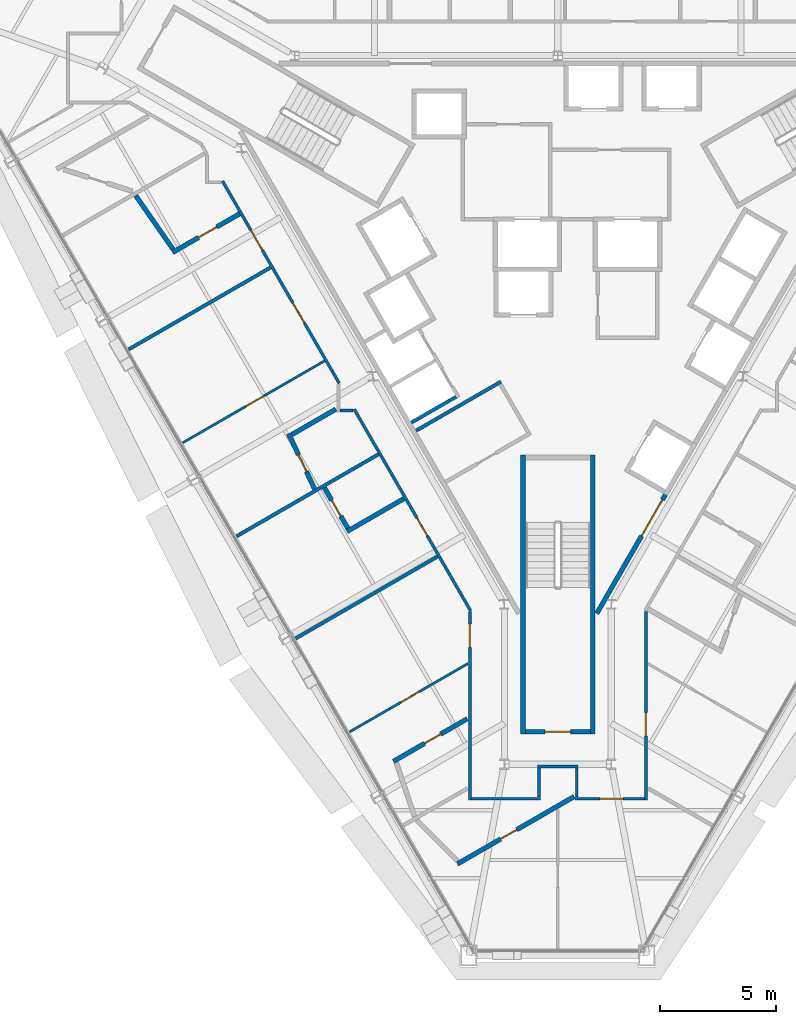
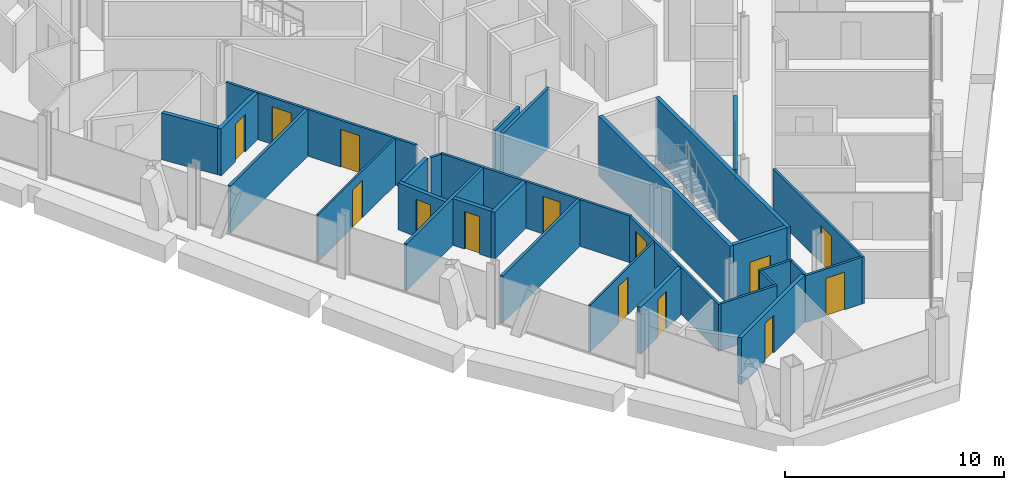
# One storey, part 10 of 17: 29 walls, 15 doors, 15 openings.
"""IFC4 building model written with IfcOpenShell, lengths in metres."""

from ifc_helpers import new_model, si_unit, direction, frame, frame_2d, origin, place, context, subcontext, project, spatial, rectangle, extrude, material, layer, layer_set, type_object, element, fill, save


model = new_model("IFC4")

# Units and contexts
model_context = context("Model", 3, precision=1e-05, world=origin(), true_north=direction((0.0, 1.0)))
body_context = subcontext(model_context, "Body", "Model", "MODEL_VIEW")
ifc_project = project(units=[si_unit("LENGTHUNIT", "METRE"), si_unit("AREAUNIT", "SQUARE_METRE"), si_unit("VOLUMEUNIT", "CUBIC_METRE"), si_unit("PLANEANGLEUNIT", "RADIAN"), si_unit("MASSUNIT", "GRAM", prefix="KILO")], contexts=[model_context])

# Site, building, storey
site_placement = place(None, origin())
site = spatial("IfcSite", under=ifc_project, at=site_placement, CompositionType="ELEMENT")
building_placement = place(site_placement, origin())
building = spatial("IfcBuilding", under=site, at=building_placement, Name="Verrane Prism Tower", CompositionType="ELEMENT")
storey_placement = place(building_placement, frame((0.0, 0.0, 96.39990234375)))
storey = spatial("IfcBuildingStorey", under=building, at=storey_placement, Name="L22", CompositionType="ELEMENT", Elevation=96.39990234375)

# Wall, opening, door
ifc_material_1 = material(Name="Gypsum board partition", Category="other")
ifc_layer_1 = layer(ifc_material_1, 0.199951171875)
ifc_layer_set_1 = layer_set([ifc_layer_1], Name="CW-200 core boundary wall 2 h")
wall_type_1 = type_object("IfcWallType", Name="CW-200 core boundary wall 2 h", PredefinedType="PARTITIONING", material=ifc_layer_set_1)
wall_1_placement = place(storey_placement, frame((1.677490234375, -14.814697265625, 0.0), z_axis=(0.0, 0.0, 1.0), x_axis=(0.49999445743, 0.866028603765, 0.0)))
wall_1 = element("IfcWall", 1, at=wall_1_placement, inside=storey, type_object=wall_type_1, Name="Core boundary wall CW3-003", PredefinedType="PARTITIONING", context=body_context, shape_type="SweptSolid", body=[
    extrude(rectangle(XDim=5.90478515625, YDim=0.199951171875, at=frame_2d((2.952392578125, 0.0))), origin(), (0.0, 0.0, 1.0), 3.35009765625),
])
opening_1_placement = place(wall_1_placement, frame((3.85498046875, 0.0, 0.0)))
opening_1 = element("IfcOpeningElement", 2, at=opening_1_placement, cuts=wall_1, Name="Opening D21517", PredefinedType="OPENING", context=body_context, shape_type="SweptSolid", body=[
    extrude(rectangle(XDim=1.800048828125, YDim=2.10009765625, at=frame_2d((0.89990234375, 1.050048828125))), frame((0.0, 0.10986328125, 0.0), z_axis=(0.0, -1.0, 0.0), x_axis=(1.0, 0.0, 0.0)), (0.0, 0.0, 1.0), 0.219970703125),
])
ifc_material_2 = material(Name="Timber veneered door leaf", Category="wood")
door_type_1 = type_object("IfcDoorType", Name="DR-1800x2100 FD60 double leaf lift lobby", OperationType="NOTDEFINED", PredefinedType="DOOR", material=ifc_material_2)
door_1_placement = place(opening_1_placement, origin())
door_1 = element("IfcDoor", 3, at=door_1_placement, inside=storey, type_object=door_type_1, Name="Lift lobby door D21517", OperationType="DOUBLE_DOOR_SINGLE_SWING", OverallHeight=2.10009765625, OverallWidth=1.800048828125, PredefinedType="DOOR", context=body_context, shape_type="SweptSolid", body=[
    extrude(rectangle(XDim=1.800048828125, YDim=2.10009765625, at=frame_2d((0.89990234375, 1.050048828125))), frame((0.0, 0.02490234375, 0.0), z_axis=(0.0, -1.0, 0.0), x_axis=(1.0, 0.0, 0.0)), (0.0, 0.0, 1.0), 0.050048828125),
])
fill(opening_1, door_1)

ifc_material_3 = material(Name="Concrete C40/50", Category="concrete")
ifc_layer_2 = layer(ifc_material_3, 0.199951171875)
ifc_layer_set_2 = layer_set([ifc_layer_2], Name="CW-200 stair core wall concrete C40/50 3 h")
wall_type_2 = type_object("IfcWallType", Name="CW-200 stair core wall concrete C40/50 3 h", PredefinedType="PARTITIONING", material=ifc_layer_set_2)
wall_2_placement = place(storey_placement, frame((-1.39990234375, -19.89990234375, 0.0), z_axis=(0.0, 0.0, 1.0), x_axis=(1.0, 0.0, 0.0)))
wall_2 = element("IfcWall", 4, at=wall_2_placement, inside=storey, type_object=wall_type_2, Name="Stair 3 enclosure wall", PredefinedType="PARTITIONING", context=body_context, shape_type="SweptSolid", body=[
    extrude(rectangle(XDim=2.7998046875, YDim=0.199951171875, at=frame_2d((1.39990234375, 0.0))), origin(), (0.0, 0.0, 1.0), 3.35009765625),
])
opening_2_placement = place(wall_2_placement, frame((0.85009765625, 0.0, 0.0)))
opening_2 = element("IfcOpeningElement", 5, at=opening_2_placement, cuts=wall_2, Name="Opening D21502", PredefinedType="OPENING", context=body_context, shape_type="SweptSolid", body=[
    extrude(rectangle(XDim=1.10009765625, YDim=2.10009765625, at=frame_2d((0.550048828125, 1.050048828125))), frame((0.0, 0.10986328125, 0.0), z_axis=(0.0, -1.0, 0.0), x_axis=(1.0, 0.0, 0.0)), (0.0, 0.0, 1.0), 0.219970703125),
])
ifc_material_4 = material(Name="Timber veneered door leaf", Category="wood")
door_type_2 = type_object("IfcDoorType", Name="DR-1100x2100 FD90 single leaf stair", OperationType="NOTDEFINED", PredefinedType="DOOR", material=ifc_material_4)
door_2_placement = place(opening_2_placement, origin())
door_2 = element("IfcDoor", 6, at=door_2_placement, inside=storey, type_object=door_type_2, Name="Stair 3 door", OperationType="SINGLE_SWING_LEFT", OverallHeight=2.10009765625, OverallWidth=1.10009765625, PredefinedType="DOOR", context=body_context, shape_type="SweptSolid", body=[
    extrude(rectangle(XDim=1.10009765625, YDim=2.10009765625, at=frame_2d((0.550048828125, 1.050048828125))), frame((0.0, 0.02490234375, 0.0), z_axis=(0.0, -1.0, 0.0), x_axis=(1.0, 0.0, 0.0)), (0.0, 0.0, 1.0), 0.050048828125),
])
fill(opening_2, door_2)

# Walls
for number, where, z_axis, x_axis, name in (
    (7, (1.5, -8.0, 0.0), (0.0, 0.0, 1.0), (0.0, -1.0, 0.0), "Stair 3 enclosure wall"),
    (8, (-1.5, -8.0, 0.0), (0.0, 0.0, 1.0), (0.0, -1.0, 0.0), "Stair 3 enclosure wall"),
):
    element("IfcWall", number, at=place(storey_placement, frame(where, z_axis=z_axis, x_axis=x_axis)), inside=storey, type_object=wall_type_2, Name=name, PredefinedType="PARTITIONING", context=body_context, shape_type="SweptSolid", body=[
        extrude(rectangle(XDim=12.0, YDim=0.199951171875, at=frame_2d((6.0, 0.0))), origin(), (0.0, 0.0, 1.0), 3.35009765625),
    ])

# Wall, opening, door
ifc_material_5 = material(Name="Gypsum board partition", Category="other")
ifc_layer_3 = layer(ifc_material_5, 0.10009765625)
ifc_layer_set_3 = layer_set([ifc_layer_3], Name="PW-100 room partition")
wall_type_3 = type_object("IfcWallType", Name="PW-100 room partition", PredefinedType="PARTITIONING", material=ifc_layer_set_3)
wall_3_placement = place(storey_placement, frame((-10.037109375, -3.940185546875, 0.0), z_axis=(0.0, 0.0, 1.0), x_axis=(-0.866063951978, -0.499933226626, 0.0)))
wall_3 = element("IfcWall", 9, at=wall_3_placement, inside=storey, type_object=wall_type_3, Name="Room partition 018", PredefinedType="PARTITIONING", context=body_context, shape_type="SweptSolid", body=[
    extrude(rectangle(XDim=7.05224609375, YDim=0.10009765625, at=frame_2d((3.526123046875, 0.0))), origin(), (0.0, 0.0, 1.0), 2.613037109375),
])
opening_3_placement = place(wall_3_placement, frame((2.998291015625, 0.0, 0.0)))
opening_3 = element("IfcOpeningElement", 10, at=opening_3_placement, cuts=wall_3, Name="Opening D21031", PredefinedType="OPENING", context=body_context, shape_type="SweptSolid", body=[
    extrude(rectangle(XDim=0.89990234375, YDim=2.10009765625, at=frame_2d((0.449951171875, 1.050048828125))), frame((0.0, 0.06005859375, 0.0), z_axis=(0.0, -1.0, 0.0), x_axis=(1.0, 0.0, 0.0)), (0.0, 0.0, 1.0), 0.1201171875),
])
ifc_material_6 = material(Name="Timber veneered door leaf", Category="wood")
door_type_3 = type_object("IfcDoorType", Name="DR-900x2100 single leaf inner", OperationType="NOTDEFINED", PredefinedType="DOOR", material=ifc_material_6)
door_3_placement = place(opening_3_placement, origin())
door_3 = element("IfcDoor", 11, at=door_3_placement, inside=storey, type_object=door_type_3, Name="Suite Living Room door", OperationType="SINGLE_SWING_RIGHT", OverallHeight=2.10009765625, OverallWidth=0.89990234375, PredefinedType="DOOR", context=body_context, shape_type="SweptSolid", body=[
    extrude(rectangle(XDim=0.89990234375, YDim=2.10009765625, at=frame_2d((0.449951171875, 1.050048828125))), frame((0.0, 0.02490234375, 0.0), z_axis=(0.0, -1.0, 0.0), x_axis=(1.0, 0.0, 0.0)), (0.0, 0.0, 1.0), 0.050048828125),
])
fill(opening_3, door_3)

wall_4_placement = place(storey_placement, frame((-3.87451171875, -16.972412109375, 0.0), z_axis=(0.0, 0.0, 1.0), x_axis=(-0.86602429061, -0.500001928069, 0.0)))
wall_4 = element("IfcWall", 12, at=wall_4_placement, inside=storey, type_object=wall_type_3, Name="Room partition 036", PredefinedType="PARTITIONING", context=body_context, shape_type="SweptSolid", body=[
    extrude(rectangle(XDim=5.873046875, YDim=0.10009765625, at=frame_2d((2.9365234375, 0.0))), origin(), (0.0, 0.0, 1.0), 2.613037109375),
])
opening_4_placement = place(wall_4_placement, frame((2.419189453125, 0.0, 0.0)))
opening_4 = element("IfcOpeningElement", 13, at=opening_4_placement, cuts=wall_4, Name="Opening D21036", PredefinedType="OPENING", context=body_context, shape_type="SweptSolid", body=[
    extrude(rectangle(XDim=0.89990234375, YDim=2.10009765625, at=frame_2d((0.449951171875, 1.050048828125))), frame((0.0, 0.06005859375, 0.0), z_axis=(0.0, -1.0, 0.0), x_axis=(1.0, 0.0, 0.0)), (0.0, 0.0, 1.0), 0.1201171875),
])
door_4_placement = place(opening_4_placement, origin())
door_4 = element("IfcDoor", 14, at=door_4_placement, inside=storey, type_object=door_type_3, Name="Suite Living Room door", OperationType="SINGLE_SWING_LEFT", OverallHeight=2.10009765625, OverallWidth=0.89990234375, PredefinedType="DOOR", context=body_context, shape_type="SweptSolid", body=[
    extrude(rectangle(XDim=0.89990234375, YDim=2.10009765625, at=frame_2d((0.449951171875, 1.050048828125))), frame((0.0, 0.02490234375, 0.0), z_axis=(0.0, -1.0, 0.0), x_axis=(1.0, 0.0, 0.0)), (0.0, 0.0, 1.0), 0.050048828125),
])
fill(opening_4, door_4)

# Wall, openings, doors
ifc_material_7 = material(Name="Gypsum board partition", Category="other")
ifc_layer_4 = layer(ifc_material_7, 0.125)
ifc_layer_set_4 = layer_set([ifc_layer_4], Name="PW-125 corridor wall 1 h")
wall_type_4 = type_object("IfcWallType", Name="PW-125 corridor wall 1 h", PredefinedType="PARTITIONING", material=ifc_layer_set_4)
wall_5_placement = place(storey_placement, frame((-9.40966796875, -4.902099609375, 0.0), z_axis=(0.0, 0.0, 1.0), x_axis=(-0.499971244726, 0.866042005013, 0.0)))
wall_5 = element("IfcWall", 15, at=wall_5_placement, inside=storey, type_object=wall_type_4, Name="Corridor wall 025", PredefinedType="PARTITIONING", context=body_context, shape_type="SweptSolid", body=[
    extrude(rectangle(XDim=10.0517578125, YDim=0.125, at=frame_2d((5.02587890625, 0.0))), origin(), (0.0, 0.0, 1.0), 2.613037109375),
])
opening_5_placement = place(wall_5_placement, frame((6.608154296875, 0.0, 0.0)))
opening_5 = element("IfcOpeningElement", 16, at=opening_5_placement, cuts=wall_5, Name="Opening D21028", PredefinedType="OPENING", context=body_context, shape_type="SweptSolid", body=[
    extrude(rectangle(XDim=1.0, YDim=2.10009765625, at=frame_2d((0.5, 1.050048828125))), frame((0.0, 0.072509765625, 0.0), z_axis=(0.0, -1.0, 0.0), x_axis=(1.0, 0.0, 0.0)), (0.0, 0.0, 1.0), 0.14501953125),
])
opening_6_placement = place(wall_5_placement, frame((2.9892578125, 0.0, 0.0)))
opening_6 = element("IfcOpeningElement", 17, at=opening_6_placement, cuts=wall_5, Name="Opening D21030", PredefinedType="OPENING", context=body_context, shape_type="SweptSolid", body=[
    extrude(rectangle(XDim=1.0, YDim=2.10009765625, at=frame_2d((0.5, 1.050048828125))), frame((0.0, 0.072509765625, 0.0), z_axis=(0.0, -1.0, 0.0), x_axis=(1.0, 0.0, 0.0)), (0.0, 0.0, 1.0), 0.14501953125),
])
ifc_material_8 = material(Name="Timber veneered door leaf", Category="wood")
door_type_4 = type_object("IfcDoorType", Name="DR-1000x2100 FD20 single leaf unit", OperationType="NOTDEFINED", PredefinedType="DOOR", material=ifc_material_8)
door_5_placement = place(opening_5_placement, origin())
door_5 = element("IfcDoor", 18, at=door_5_placement, inside=storey, type_object=door_type_4, Name="Accessible Guest Room door", OperationType="SINGLE_SWING_LEFT", OverallHeight=2.10009765625, OverallWidth=1.0, PredefinedType="DOOR", context=body_context, shape_type="SweptSolid", body=[
    extrude(rectangle(XDim=1.0, YDim=2.10009765625, at=frame_2d((0.5, 1.050048828125))), frame((0.0, 0.02490234375, 0.0), z_axis=(0.0, -1.0, 0.0), x_axis=(1.0, 0.0, 0.0)), (0.0, 0.0, 1.0), 0.050048828125),
])
fill(opening_5, door_5)
door_6_placement = place(opening_6_placement, origin())
door_6 = element("IfcDoor", 19, at=door_6_placement, inside=storey, type_object=door_type_4, Name="Suite Living Room door", OperationType="SINGLE_SWING_LEFT", OverallHeight=2.10009765625, OverallWidth=1.0, PredefinedType="DOOR", context=body_context, shape_type="SweptSolid", body=[
    extrude(rectangle(XDim=1.0, YDim=2.10009765625, at=frame_2d((0.5, 1.050048828125))), frame((0.0, 0.02490234375, 0.0), z_axis=(0.0, -1.0, 0.0), x_axis=(1.0, 0.0, 0.0)), (0.0, 0.0, 1.0), 0.050048828125),
])
fill(opening_6, door_6)

# Wall
wall_6_placement = place(storey_placement, frame((-9.3759765625, -6.071044921875, 0.0), z_axis=(0.0, 0.0, 1.0), x_axis=(1.0, 0.0, 0.0)))
element("IfcWall", 20, at=wall_6_placement, inside=storey, type_object=wall_type_4, Name="Corridor wall 034", PredefinedType="PARTITIONING", context=body_context, shape_type="SweptSolid", body=[
    extrude(rectangle(XDim=0.555908203125, YDim=0.125, at=frame_2d((0.27783203125, 0.0))), origin(), (0.0, 0.0, 1.0), 2.613037109375),
])

# Wall, opening, door
wall_7_placement = place(storey_placement, frame((-3.755859375, -14.694091796875, 0.0), z_axis=(0.0, 0.0, 1.0), x_axis=(-0.500051472265, 0.865995684219, 0.0)))
wall_7 = element("IfcWall", 21, at=wall_7_placement, inside=storey, type_object=wall_type_4, Name="Corridor wall 037", PredefinedType="PARTITIONING", context=body_context, shape_type="SweptSolid", body=[
    extrude(rectangle(XDim=10.02001953125, YDim=0.125, at=frame_2d((5.010009765625, 0.0))), origin(), (0.0, 0.0, 1.0), 2.613037109375),
])
opening_7_placement = place(wall_7_placement, frame((3.71142578125, 0.0, 0.0)))
opening_7 = element("IfcOpeningElement", 22, at=opening_7_placement, cuts=wall_7, Name="Opening D21033", PredefinedType="OPENING", context=body_context, shape_type="SweptSolid", body=[
    extrude(rectangle(XDim=0.89990234375, YDim=2.10009765625, at=frame_2d((0.449951171875, 1.050048828125))), frame((0.0, 0.072509765625, 0.0), z_axis=(0.0, -1.0, 0.0), x_axis=(1.0, 0.0, 0.0)), (0.0, 0.0, 1.0), 0.14501953125),
])
ifc_material_9 = material(Name="Timber veneered door leaf", Category="wood")
door_type_5 = type_object("IfcDoorType", Name="DR-900x2100 FD20 single leaf unit", OperationType="NOTDEFINED", PredefinedType="DOOR", material=ifc_material_9)
door_7_placement = place(opening_7_placement, origin())
door_7 = element("IfcDoor", 23, at=door_7_placement, inside=storey, type_object=door_type_5, Name="Guest Room door", OperationType="SINGLE_SWING_RIGHT", OverallHeight=2.10009765625, OverallWidth=0.89990234375, PredefinedType="DOOR", context=body_context, shape_type="SweptSolid", body=[
    extrude(rectangle(XDim=0.89990234375, YDim=2.10009765625, at=frame_2d((0.449951171875, 1.050048828125))), frame((0.0, 0.02490234375, 0.0), z_axis=(0.0, -1.0, 0.0), x_axis=(1.0, 0.0, 0.0)), (0.0, 0.0, 1.0), 0.050048828125),
])
fill(opening_7, door_7)

wall_8_placement = place(storey_placement, frame((-3.787109375, -22.849609375, 0.0), z_axis=(0.0, 0.0, 1.0), x_axis=(0.0, 1.0, 0.0)))
wall_8 = element("IfcWall", 24, at=wall_8_placement, inside=storey, type_object=wall_type_4, Name="Corridor wall 047", PredefinedType="PARTITIONING", context=body_context, shape_type="SweptSolid", body=[
    extrude(rectangle(XDim=8.12451171875, YDim=0.125, at=frame_2d((4.062255859375, 0.0))), origin(), (0.0, 0.0, 1.0), 2.613037109375),
])
opening_8_placement = place(wall_8_placement, frame((6.577392578125, 0.0, 0.0)))
opening_8 = element("IfcOpeningElement", 25, at=opening_8_placement, cuts=wall_8, Name="Opening D21035", PredefinedType="OPENING", context=body_context, shape_type="SweptSolid", body=[
    extrude(rectangle(XDim=1.0, YDim=2.10009765625, at=frame_2d((0.5, 1.050048828125))), frame((0.0, 0.072509765625, 0.0), z_axis=(0.0, -1.0, 0.0), x_axis=(1.0, 0.0, 0.0)), (0.0, 0.0, 1.0), 0.14501953125),
])
door_8_placement = place(opening_8_placement, origin())
door_8 = element("IfcDoor", 26, at=door_8_placement, inside=storey, type_object=door_type_4, Name="Suite Living Room door", OperationType="SINGLE_SWING_LEFT", OverallHeight=2.10009765625, OverallWidth=1.0, PredefinedType="DOOR", context=body_context, shape_type="SweptSolid", body=[
    extrude(rectangle(XDim=1.0, YDim=2.10009765625, at=frame_2d((0.5, 1.050048828125))), frame((0.0, 0.02490234375, 0.0), z_axis=(0.0, -1.0, 0.0), x_axis=(1.0, 0.0, 0.0)), (0.0, 0.0, 1.0), 0.050048828125),
])
fill(opening_8, door_8)

# Walls
wall_9_placement = place(storey_placement, frame((-3.721923828125, -22.787109375, 0.0), z_axis=(0.0, 0.0, 1.0), x_axis=(1.0, 0.0, 0.0)))
element("IfcWall", 27, at=wall_9_placement, inside=storey, type_object=wall_type_4, Name="Corridor wall 048", PredefinedType="PARTITIONING", context=body_context, shape_type="SweptSolid", body=[
    extrude(rectangle(XDim=2.971435546875, YDim=0.125, at=frame_2d((1.48583984375, 0.0))), origin(), (0.0, 0.0, 1.0), 2.613037109375),
])
wall_10_placement = place(storey_placement, frame((-0.81298828125, -22.721923828125, 0.0), z_axis=(0.0, 0.0, 1.0), x_axis=(0.0, 1.0, 0.0)))
element("IfcWall", 28, at=wall_10_placement, inside=storey, type_object=wall_type_4, Name="Corridor wall 050", PredefinedType="PARTITIONING", context=body_context, shape_type="SweptSolid", body=[
    extrude(rectangle(XDim=1.2568359375, YDim=0.125, at=frame_2d((0.62841796875, 0.0))), origin(), (0.0, 0.0, 1.0), 2.613037109375),
])
wall_11_placement = place(storey_placement, frame((-0.87548828125, -21.39990234375, 0.0), z_axis=(0.0, 0.0, 1.0), x_axis=(1.0, 0.0, 0.0)))
element("IfcWall", 29, at=wall_11_placement, inside=storey, type_object=wall_type_4, Name="Corridor wall 051", PredefinedType="PARTITIONING", context=body_context, shape_type="SweptSolid", body=[
    extrude(rectangle(XDim=1.7509765625, YDim=0.125, at=frame_2d((0.87548828125, 0.0))), origin(), (0.0, 0.0, 1.0), 2.613037109375),
])
wall_12_placement = place(storey_placement, frame((0.81298828125, -22.721923828125, 0.0), z_axis=(0.0, 0.0, 1.0), x_axis=(0.0, 1.0, 0.0)))
element("IfcWall", 30, at=wall_12_placement, inside=storey, type_object=wall_type_4, Name="Corridor wall 054", PredefinedType="PARTITIONING", context=body_context, shape_type="SweptSolid", body=[
    extrude(rectangle(XDim=1.2568359375, YDim=0.125, at=frame_2d((0.62841796875, 0.0))), origin(), (0.0, 0.0, 1.0), 2.613037109375),
])

# Wall, opening, door
wall_13_placement = place(storey_placement, frame((3.721923828125, -22.787109375, 0.0), z_axis=(0.0, 0.0, 1.0), x_axis=(-1.0, 0.0, 0.0)))
wall_13 = element("IfcWall", 31, at=wall_13_placement, inside=storey, type_object=wall_type_4, Name="Corridor wall 055", PredefinedType="PARTITIONING", context=body_context, shape_type="SweptSolid", body=[
    extrude(rectangle(XDim=2.971435546875, YDim=0.125, at=frame_2d((1.48583984375, 0.0))), origin(), (0.0, 0.0, 1.0), 2.613037109375),
])
opening_9_placement = place(wall_13_placement, frame((0.908935546875, 0.0, 0.0)))
opening_9 = element("IfcOpeningElement", 32, at=opening_9_placement, cuts=wall_13, Name="Opening D21038", PredefinedType="OPENING", context=body_context, shape_type="SweptSolid", body=[
    extrude(rectangle(XDim=1.0, YDim=2.10009765625, at=frame_2d((0.5, 1.050048828125))), frame((0.0, 0.072509765625, 0.0), z_axis=(0.0, -1.0, 0.0), x_axis=(1.0, 0.0, 0.0)), (0.0, 0.0, 1.0), 0.14501953125),
])
door_9_placement = place(opening_9_placement, origin())
door_9 = element("IfcDoor", 33, at=door_9_placement, inside=storey, type_object=door_type_4, Name="Suite Living Room door", OperationType="SINGLE_SWING_LEFT", OverallHeight=2.10009765625, OverallWidth=1.0, PredefinedType="DOOR", context=body_context, shape_type="SweptSolid", body=[
    extrude(rectangle(XDim=1.0, YDim=2.10009765625, at=frame_2d((0.5, 1.050048828125))), frame((0.0, 0.02490234375, 0.0), z_axis=(0.0, -1.0, 0.0), x_axis=(1.0, 0.0, 0.0)), (0.0, 0.0, 1.0), 0.050048828125),
])
fill(opening_9, door_9)

wall_14_placement = place(storey_placement, frame((3.787109375, -14.72509765625, 0.0), z_axis=(0.0, 0.0, 1.0), x_axis=(0.0, -1.0, 0.0)))
wall_14 = element("IfcWall", 34, at=wall_14_placement, inside=storey, type_object=wall_type_4, Name="Corridor wall 056", PredefinedType="PARTITIONING", context=body_context, shape_type="SweptSolid", body=[
    extrude(rectangle(XDim=8.12451171875, YDim=0.125, at=frame_2d((4.062255859375, 0.0))), origin(), (0.0, 0.0, 1.0), 2.613037109375),
])
opening_10_placement = place(wall_14_placement, frame((4.35693359375, 0.0, 0.0)))
opening_10 = element("IfcOpeningElement", 35, at=opening_10_placement, cuts=wall_14, Name="Opening D21001", PredefinedType="OPENING", context=body_context, shape_type="SweptSolid", body=[
    extrude(rectangle(XDim=1.0, YDim=2.10009765625, at=frame_2d((0.5, 1.050048828125))), frame((0.0, 0.072509765625, 0.0), z_axis=(0.0, -1.0, 0.0), x_axis=(1.0, 0.0, 0.0)), (0.0, 0.0, 1.0), 0.14501953125),
])
door_10_placement = place(opening_10_placement, origin())
door_10 = element("IfcDoor", 36, at=door_10_placement, inside=storey, type_object=door_type_4, Name="Suite Living Room door", OperationType="SINGLE_SWING_RIGHT", OverallHeight=2.10009765625, OverallWidth=1.0, PredefinedType="DOOR", context=body_context, shape_type="SweptSolid", body=[
    extrude(rectangle(XDim=1.0, YDim=2.10009765625, at=frame_2d((0.5, 1.050048828125))), frame((0.0, 0.02490234375, 0.0), z_axis=(0.0, -1.0, 0.0), x_axis=(1.0, 0.0, 0.0)), (0.0, 0.0, 1.0), 0.050048828125),
])
fill(opening_10, door_10)

# Walls
ifc_material_10 = material(Name="Gypsum board partition", Category="other")
ifc_layer_5 = layer(ifc_material_10, 0.14990234375)
ifc_layer_set_5 = layer_set([ifc_layer_5], Name="PW-150 demising wall 1 h")
wall_type_5 = type_object("IfcWallType", Name="PW-150 demising wall 1 h", PredefinedType="PARTITIONING", material=ifc_layer_set_5)
wall_15_placement = place(storey_placement, frame((-18.466064453125, -3.445068359375, 0.0), z_axis=(0.0, 0.0, 1.0), x_axis=(0.86605175433, 0.499954356739, 0.0)))
element("IfcWall", 37, at=wall_15_placement, inside=storey, type_object=wall_type_5, Name="Demising wall 014", PredefinedType="PARTITIONING", context=body_context, shape_type="SweptSolid", body=[
    extrude(rectangle(XDim=7.047607421875, YDim=0.14990234375, at=frame_2d((3.52392578125, 0.0))), origin(), (0.0, 0.0, 1.0), 2.613037109375),
])
wall_16_placement = place(storey_placement, frame((-13.8232421875, -11.48681640625, 0.0), z_axis=(0.0, 0.0, 1.0), x_axis=(0.865980767462, 0.500077304409, 0.0)))
element("IfcWall", 38, at=wall_16_placement, inside=storey, type_object=wall_type_5, Name="Demising wall 026", PredefinedType="PARTITIONING", context=body_context, shape_type="SweptSolid", body=[
    extrude(rectangle(XDim=7.04736328125, YDim=0.14990234375, at=frame_2d((3.523681640625, 0.0))), origin(), (0.0, 0.0, 1.0), 2.613037109375),
])
wall_17_placement = place(storey_placement, frame((-11.2822265625, -15.88818359375, 0.0), z_axis=(0.0, 0.0, 1.0), x_axis=(0.866031654768, 0.499989172823, 0.0)))
element("IfcWall", 39, at=wall_17_placement, inside=storey, type_object=wall_type_5, Name="Demising wall 030", PredefinedType="PARTITIONING", context=body_context, shape_type="SweptSolid", body=[
    extrude(rectangle(XDim=7.052001953125, YDim=0.14990234375, at=frame_2d((3.52587890625, 0.0))), origin(), (0.0, 0.0, 1.0), 2.613037109375),
])
ifc_material_11 = material(Name="Gypsum board partition", Category="other")
ifc_layer_6 = layer(ifc_material_11, 0.199951171875)
ifc_layer_set_6 = layer_set([ifc_layer_6], Name="PW-200 plumbing wall")
wall_type_6 = type_object("IfcWallType", Name="PW-200 plumbing wall", PredefinedType="PARTITIONING", material=ifc_layer_set_6)
wall_18_placement = place(storey_placement, frame((-18.170166015625, 3.17529296875, 0.0), z_axis=(0.0, 0.0, 1.0), x_axis=(0.571541682724, -0.820573034476, 0.0)))
element("IfcWall", 40, at=wall_18_placement, inside=storey, type_object=wall_type_6, Name="Plumbing wall 015", PredefinedType="PARTITIONING", context=body_context, shape_type="SweptSolid", body=[
    extrude(rectangle(XDim=2.817626953125, YDim=0.199951171875, at=frame_2d((1.40869140625, 0.0))), origin(), (0.0, 0.0, 1.0), 2.613037109375),
])

# Wall, opening, door
wall_19_placement = place(storey_placement, frame((-16.58349609375, 0.722900390625, 0.0), z_axis=(0.0, 0.0, 1.0), x_axis=(0.866001642064, 0.500041154249, 0.0)))
wall_19 = element("IfcWall", 41, at=wall_19_placement, inside=storey, type_object=wall_type_6, Name="Plumbing wall 017", PredefinedType="PARTITIONING", context=body_context, shape_type="SweptSolid", body=[
    extrude(rectangle(XDim=3.337646484375, YDim=0.199951171875, at=frame_2d((1.6689453125, 0.0))), origin(), (0.0, 0.0, 1.0), 2.613037109375),
])
opening_11_placement = place(wall_19_placement, frame((1.300048828125, 0.0, 0.0)))
opening_11 = element("IfcOpeningElement", 42, at=opening_11_placement, cuts=wall_19, Name="Opening D21029", PredefinedType="OPENING", context=body_context, shape_type="SweptSolid", body=[
    extrude(rectangle(XDim=0.89990234375, YDim=2.10009765625, at=frame_2d((0.449951171875, 1.050048828125))), frame((0.0, 0.10986328125, 0.0), z_axis=(0.0, -1.0, 0.0), x_axis=(1.0, 0.0, 0.0)), (0.0, 0.0, 1.0), 0.219970703125),
])
ifc_material_12 = material(Name="Timber veneered door leaf", Category="wood")
door_type_6 = type_object("IfcDoorType", Name="DR-900x2100 single leaf bath", OperationType="NOTDEFINED", PredefinedType="DOOR", material=ifc_material_12)
door_11_placement = place(opening_11_placement, origin())
door_11 = element("IfcDoor", 43, at=door_11_placement, inside=storey, type_object=door_type_6, Name="En-Suite door", OperationType="SINGLE_SWING_LEFT", OverallHeight=2.10009765625, OverallWidth=0.89990234375, PredefinedType="DOOR", context=body_context, shape_type="SweptSolid", body=[
    extrude(rectangle(XDim=0.89990234375, YDim=2.10009765625, at=frame_2d((0.449951171875, 1.050048828125))), frame((0.0, 0.02490234375, 0.0), z_axis=(0.0, -1.0, 0.0), x_axis=(1.0, 0.0, 0.0)), (0.0, 0.0, 1.0), 0.050048828125),
])
fill(opening_11, door_11)

wall_20_placement = place(storey_placement, frame((-11.58544921875, -7.077392578125, 0.0), z_axis=(0.0, 0.0, 1.0), x_axis=(0.425434257814, -0.904989332688, 0.0)))
wall_20 = element("IfcWall", 44, at=wall_20_placement, inside=storey, type_object=wall_type_6, Name="Plumbing wall 028", PredefinedType="PARTITIONING", context=body_context, shape_type="SweptSolid", body=[
    extrude(rectangle(XDim=2.62548828125, YDim=0.199951171875, at=frame_2d((1.312744140625, 0.0))), origin(), (0.0, 0.0, 1.0), 2.613037109375),
])
opening_12_placement = place(wall_20_placement, frame((1.0, 0.0, 0.0)))
opening_12 = element("IfcOpeningElement", 45, at=opening_12_placement, cuts=wall_20, Name="Opening D21032", PredefinedType="OPENING", context=body_context, shape_type="SweptSolid", body=[
    extrude(rectangle(XDim=0.800048828125, YDim=2.10009765625, at=frame_2d((0.39990234375, 1.050048828125))), frame((0.0, 0.10986328125, 0.0), z_axis=(0.0, -1.0, 0.0), x_axis=(1.0, 0.0, 0.0)), (0.0, 0.0, 1.0), 0.219970703125),
])
ifc_material_13 = material(Name="Timber veneered door leaf", Category="wood")
door_type_7 = type_object("IfcDoorType", Name="DR-800x2100 single leaf bath", OperationType="NOTDEFINED", PredefinedType="DOOR", material=ifc_material_13)
door_12_placement = place(opening_12_placement, origin())
door_12 = element("IfcDoor", 46, at=door_12_placement, inside=storey, type_object=door_type_7, Name="En-Suite door", OperationType="SINGLE_SWING_RIGHT", OverallHeight=2.10009765625, OverallWidth=0.800048828125, PredefinedType="DOOR", context=body_context, shape_type="SweptSolid", body=[
    extrude(rectangle(XDim=0.800048828125, YDim=2.10009765625, at=frame_2d((0.39990234375, 1.050048828125))), frame((0.0, 0.02490234375, 0.0), z_axis=(0.0, -1.0, 0.0), x_axis=(1.0, 0.0, 0.0)), (0.0, 0.0, 1.0), 0.050048828125),
])
fill(opening_12, door_12)

# Wall
wall_21_placement = place(storey_placement, frame((-11.44775390625, -7.113037109375, 0.0), z_axis=(0.0, 0.0, 1.0), x_axis=(0.865960673566, 0.500112099272, 0.0)))
element("IfcWall", 47, at=wall_21_placement, inside=storey, type_object=wall_type_6, Name="Plumbing wall 029", PredefinedType="PARTITIONING", context=body_context, shape_type="SweptSolid", body=[
    extrude(rectangle(XDim=2.1875, YDim=0.199951171875, at=frame_2d((1.09375, 0.0))), origin(), (0.0, 0.0, 1.0), 2.613037109375),
])

# Wall, opening, door
wall_22_placement = place(storey_placement, frame((-10.046875, -9.398193359375, 0.0), z_axis=(0.0, 0.0, 1.0), x_axis=(0.499935208997, -0.866062807656, 0.0)))
wall_22 = element("IfcWall", 48, at=wall_22_placement, inside=storey, type_object=wall_type_6, Name="Plumbing wall 031", PredefinedType="PARTITIONING", context=body_context, shape_type="SweptSolid", body=[
    extrude(rectangle(XDim=2.019775390625, YDim=0.199951171875, at=frame_2d((1.009765625, 0.0))), origin(), (0.0, 0.0, 1.0), 2.613037109375),
])
opening_13_placement = place(wall_22_placement, frame((0.6201171875, 0.0, 0.0)))
opening_13 = element("IfcOpeningElement", 49, at=opening_13_placement, cuts=wall_22, Name="Opening D21034", PredefinedType="OPENING", context=body_context, shape_type="SweptSolid", body=[
    extrude(rectangle(XDim=0.800048828125, YDim=2.10009765625, at=frame_2d((0.39990234375, 1.050048828125))), frame((0.0, 0.10986328125, 0.0), z_axis=(0.0, -1.0, 0.0), x_axis=(1.0, 0.0, 0.0)), (0.0, 0.0, 1.0), 0.219970703125),
])
door_13_placement = place(opening_13_placement, origin())
door_13 = element("IfcDoor", 50, at=door_13_placement, inside=storey, type_object=door_type_7, Name="En-Suite door", OperationType="SINGLE_SWING_RIGHT", OverallHeight=2.10009765625, OverallWidth=0.800048828125, PredefinedType="DOOR", context=body_context, shape_type="SweptSolid", body=[
    extrude(rectangle(XDim=0.800048828125, YDim=2.10009765625, at=frame_2d((0.39990234375, 1.050048828125))), frame((0.0, 0.02490234375, 0.0), z_axis=(0.0, -1.0, 0.0), x_axis=(1.0, 0.0, 0.0)), (0.0, 0.0, 1.0), 0.050048828125),
])
fill(opening_13, door_13)

# Wall
wall_23_placement = place(storey_placement, frame((-9.07373046875, -11.283935546875, 0.0), z_axis=(0.0, 0.0, 1.0), x_axis=(0.866197046655, 0.499702587912, 0.0)))
element("IfcWall", 51, at=wall_23_placement, inside=storey, type_object=wall_type_6, Name="Plumbing wall 035", PredefinedType="PARTITIONING", context=body_context, shape_type="SweptSolid", body=[
    extrude(rectangle(XDim=2.837158203125, YDim=0.199951171875, at=frame_2d((1.41845703125, 0.0))), origin(), (0.0, 0.0, 1.0), 2.613037109375),
])

# Wall, opening, door
wall_24_placement = place(storey_placement, frame((-3.8994140625, -19.344970703125, 0.0), z_axis=(0.0, 0.0, 1.0), x_axis=(-0.865971488458, -0.500093372459, 0.0)))
wall_24 = element("IfcWall", 52, at=wall_24_placement, inside=storey, type_object=wall_type_6, Name="Plumbing wall 041", PredefinedType="PARTITIONING", context=body_context, shape_type="SweptSolid", body=[
    extrude(rectangle(XDim=3.665283203125, YDim=0.199951171875, at=frame_2d((1.83251953125, 0.0))), origin(), (0.0, 0.0, 1.0), 2.613037109375),
])
opening_14_placement = place(wall_24_placement, frame((1.3154296875, 0.0, 0.0)))
opening_14 = element("IfcOpeningElement", 53, at=opening_14_placement, cuts=wall_24, Name="Opening D21037", PredefinedType="OPENING", context=body_context, shape_type="SweptSolid", body=[
    extrude(rectangle(XDim=0.800048828125, YDim=2.10009765625, at=frame_2d((0.39990234375, 1.050048828125))), frame((0.0, 0.10986328125, 0.0), z_axis=(0.0, -1.0, 0.0), x_axis=(1.0, 0.0, 0.0)), (0.0, 0.0, 1.0), 0.219970703125),
])
door_14_placement = place(opening_14_placement, origin())
door_14 = element("IfcDoor", 54, at=door_14_placement, inside=storey, type_object=door_type_7, Name="En-Suite door", OperationType="SINGLE_SWING_RIGHT", OverallHeight=2.10009765625, OverallWidth=0.800048828125, PredefinedType="DOOR", context=body_context, shape_type="SweptSolid", body=[
    extrude(rectangle(XDim=0.800048828125, YDim=2.10009765625, at=frame_2d((0.39990234375, 1.050048828125))), frame((0.0, 0.02490234375, 0.0), z_axis=(0.0, -1.0, 0.0), x_axis=(1.0, 0.0, 0.0)), (0.0, 0.0, 1.0), 0.050048828125),
])
fill(opening_14, door_14)

wall_25_placement = place(storey_placement, frame((-4.319580078125, -25.592041015625, 0.0), z_axis=(0.0, 0.0, 1.0), x_axis=(0.86603408909, 0.499984956307, 0.0)))
wall_25 = element("IfcWall", 55, at=wall_25_placement, inside=storey, type_object=wall_type_6, Name="Plumbing wall 046", PredefinedType="PARTITIONING", context=body_context, shape_type="SweptSolid", body=[
    extrude(rectangle(XDim=5.796630859375, YDim=0.199951171875, at=frame_2d((2.8984375, 0.0))), origin(), (0.0, 0.0, 1.0), 2.613037109375),
])
opening_15_placement = place(wall_25_placement, frame((2.14990234375, 0.0, 0.0)))
opening_15 = element("IfcOpeningElement", 56, at=opening_15_placement, cuts=wall_25, Name="Opening D21040", PredefinedType="OPENING", context=body_context, shape_type="SweptSolid", body=[
    extrude(rectangle(XDim=0.800048828125, YDim=2.10009765625, at=frame_2d((0.39990234375, 1.050048828125))), frame((0.0, 0.10986328125, 0.0), z_axis=(0.0, -1.0, 0.0), x_axis=(1.0, 0.0, 0.0)), (0.0, 0.0, 1.0), 0.219970703125),
])
door_15_placement = place(opening_15_placement, origin())
door_15 = element("IfcDoor", 57, at=door_15_placement, inside=storey, type_object=door_type_7, Name="En-Suite door", OperationType="SINGLE_SWING_RIGHT", OverallHeight=2.10009765625, OverallWidth=0.800048828125, PredefinedType="DOOR", context=body_context, shape_type="SweptSolid", body=[
    extrude(rectangle(XDim=0.800048828125, YDim=2.10009765625, at=frame_2d((0.39990234375, 1.050048828125))), frame((0.0, 0.02490234375, 0.0), z_axis=(0.0, -1.0, 0.0), x_axis=(1.0, 0.0, 0.0)), (0.0, 0.0, 1.0), 0.050048828125),
])
fill(opening_15, door_15)

# Walls
ifc_material_14 = material(Name="Gypsum board partition", Category="other")
ifc_layer_7 = layer(ifc_material_14, 0.14990234375)
ifc_layer_set_7 = layer_set([ifc_layer_7], Name="RS-150 riser enclosure wall 1 h")
wall_type_7 = type_object("IfcWallType", Name="RS-150 riser enclosure wall 1 h", PredefinedType="PARTITIONING", material=ifc_layer_set_7)
wall_26_placement = place(storey_placement, frame((-6.306396484375, -6.596923828125, 0.0), z_axis=(0.0, 0.0, 1.0), x_axis=(0.866019272134, 0.50001062018, 0.0)))
element("IfcWall", 58, at=wall_26_placement, inside=storey, type_object=wall_type_7, Name="Riser wall RS3-003", PredefinedType="PARTITIONING", context=body_context, shape_type="SweptSolid", body=[
    extrude(rectangle(XDim=2.224609375, YDim=0.14990234375, at=frame_2d((1.1123046875, 0.0))), origin(), (0.0, 0.0, 1.0), 3.35009765625),
])
wall_27_placement = place(storey_placement, frame((-6.10009765625, -6.945556640625, 0.0), z_axis=(0.0, 0.0, 1.0), x_axis=(0.866038200431, 0.499977834903, 0.0)))
element("IfcWall", 59, at=wall_27_placement, inside=storey, type_object=wall_type_7, Name="Riser wall RS3-004", PredefinedType="PARTITIONING", context=body_context, shape_type="SweptSolid", body=[
    extrude(rectangle(XDim=4.220458984375, YDim=0.14990234375, at=frame_2d((2.1103515625, 0.0))), origin(), (0.0, 0.0, 1.0), 3.35009765625),
])

save(model, "model.ifc")
